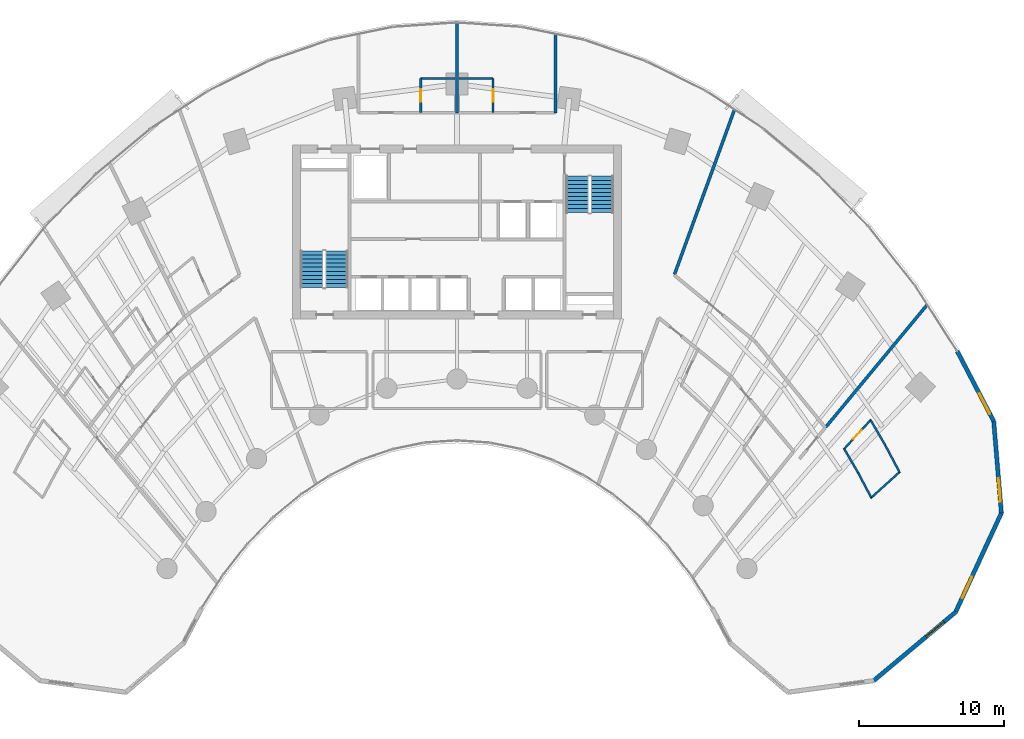
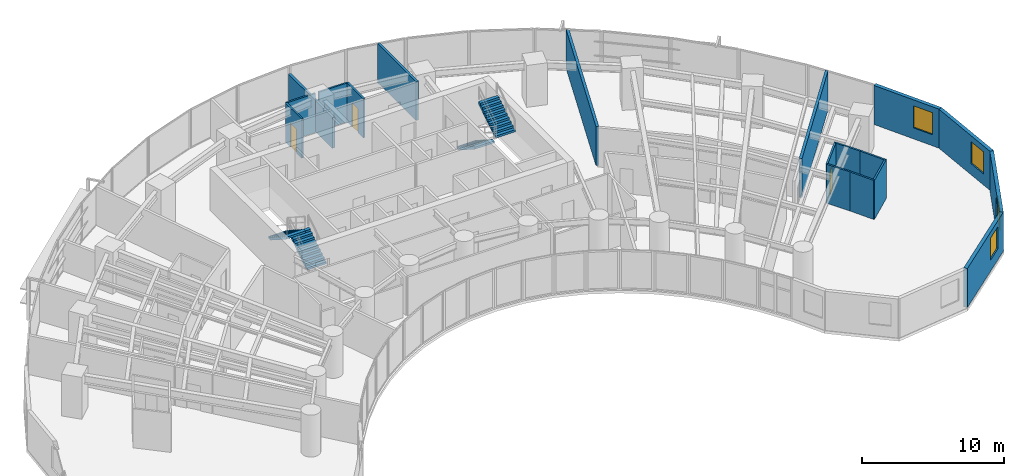
# One storey, part 14 of 17: 18 walls, 4 stair flights, 4 windows, 3 doors, 7 openings, 2 elements without a shape of their own.
"""IFC4 building model written with IfcOpenShell, lengths in metres."""

import ifcopenshell
import ifcopenshell.guid

model = None  # the IFC model being written
_history = None  # IfcOwnerHistory: only IFC2X3 demands one
_inside = {}  # id of a spatial element -> (the spatial element, [elements in it])
_under = {}  # id of a project, library or spatial element -> (it, [spatial elements below it])
_declared = {}  # id of a project -> (the project, [libraries it declares])
_typed = {}  # id of a type object -> (the type object, [elements of that type])
_made_of = {}  # id of a material, layer set ... -> (it, [elements and type objects made of it])


def new_model(schema):
    """Start an empty IFC model of exactly this schema.

    Asked for "IFC4X3", IfcOpenShell would pick the latest addendum, in which some entities
    have other attributes; the version numbers below select the first issue.
    IFC2X3 requires an IfcOwnerHistory on every rooted entity: one is made here for all.
    """
    global model, _history
    if schema == "IFC4X3":
        model = ifcopenshell.file(schema_version=(4, 3, 0, 0))
    else:
        model = ifcopenshell.file(schema=schema)
    _inside.clear()
    _under.clear()
    _declared.clear()
    _typed.clear()
    _made_of.clear()
    _history = None
    if model.schema == "IFC2X3":
        org = make("IfcOrganization", Name="unknown")
        user = make(
            "IfcPersonAndOrganization",
            ThePerson=make("IfcPerson", FamilyName="unknown"),
            TheOrganization=org,
        )
        app = make(
            "IfcApplication",
            ApplicationDeveloper=org,
            Version="unknown",
            ApplicationFullName="unknown",
            ApplicationIdentifier="unknown",
        )
        _history = make(
            "IfcOwnerHistory",
            OwningUser=user,
            OwningApplication=app,
            ChangeAction="ADDED",
            CreationDate=0,
        )
    return model


def make(cls, **values):
    """One entity of the class cls with the attributes given. An attribute that is None is left unset."""
    return model.create_entity(
        cls, **{name: value for name, value in values.items() if value is not None}
    )


def rooted(cls, **values):
    """An entity with a GlobalId (a new one), such as an element, a storey or a relation."""
    return make(cls, GlobalId=ifcopenshell.guid.new(), OwnerHistory=_history, **values)


def si_unit(unit_type, name, prefix=None):
    """IfcSIUnit, for example si_unit("LENGTHUNIT", "METRE", prefix="MILLI")."""
    return make("IfcSIUnit", UnitType=unit_type, Prefix=prefix, Name=name)


def assignment(units):
    """IfcUnitAssignment: the units of a project."""
    return None if units is None else make("IfcUnitAssignment", Units=units)


def point(xyz):
    """IfcCartesianPoint."""
    return None if xyz is None else make("IfcCartesianPoint", Coordinates=xyz)


def direction(xyz):
    """IfcDirection."""
    return None if xyz is None else make("IfcDirection", DirectionRatios=xyz)


def frame(location, z_axis=None, x_axis=None):
    """IfcAxis2Placement3D, a coordinate frame: its origin and axes. An axis left out is left unset."""
    return make(
        "IfcAxis2Placement3D",
        Location=point(location),
        Axis=direction(z_axis),
        RefDirection=direction(x_axis),
    )


def frame_2d(location, x_axis=None):
    """IfcAxis2Placement2D, a coordinate frame in the plane: its origin and x axis."""
    return make(
        "IfcAxis2Placement2D", Location=point(location), RefDirection=direction(x_axis)
    )


def origin():
    """The frame at (0, 0, 0) with its axes left unset."""
    return frame((0.0, 0.0, 0.0))


def place(relative_to, where):
    """IfcLocalPlacement: puts the frame where relative to a parent placement (None: the world)."""
    return make(
        "IfcLocalPlacement", PlacementRelTo=relative_to, RelativePlacement=where
    )


def context(
    kind, dimensions, precision=None, world=None, true_north=None, identifier=None
):
    """IfcGeometricRepresentationContext, for example the 3D "Model" context."""
    return make(
        "IfcGeometricRepresentationContext",
        ContextIdentifier=identifier,
        ContextType=kind,
        CoordinateSpaceDimension=dimensions,
        Precision=precision,
        WorldCoordinateSystem=world,
        TrueNorth=true_north,
    )


def subcontext(parent, identifier, kind, view, scale=None):
    """IfcGeometricRepresentationSubContext, for example "Body" below "Model"."""
    return make(
        "IfcGeometricRepresentationSubContext",
        ContextIdentifier=identifier,
        ContextType=kind,
        ParentContext=parent,
        TargetScale=scale,
        TargetView=view,
    )


def project(units=None, contexts=None):
    """IfcProject with its units and contexts."""
    return rooted(
        "IfcProject",
        Name="project",
        RepresentationContexts=contexts,
        UnitsInContext=assignment(units),
    )


def spatial(cls, under=None, at=None, **own):
    """A site, building, storey or space (cls), placed at a placement, below another one or the project."""
    s = rooted(cls, ObjectPlacement=at, **own)
    if under is not None:
        _under.setdefault(under.id(), (under, []))[1].append(s)
    return s


def polyline(points):
    """IfcPolyline through the points."""
    return make("IfcPolyline", Points=[point(p) for p in points])


def profile(cls, at=None, kind="AREA", **sizes):
    """A parametric profile (cls). Its sizes go by their IFC names, for example OverallWidth=200.0."""
    return make(cls, ProfileType=kind, Position=at, **sizes)


def rectangle(**sizes):
    """IfcRectangleProfileDef."""
    return profile("IfcRectangleProfileDef", **sizes)


def outline(outer, holes=None, kind="AREA"):
    """IfcArbitraryClosedProfileDef: a profile drawn as a closed curve; with holes, ...WithVoids."""
    if holes is None:
        return make("IfcArbitraryClosedProfileDef", ProfileType=kind, OuterCurve=outer)
    return make(
        "IfcArbitraryProfileDefWithVoids",
        ProfileType=kind,
        OuterCurve=outer,
        InnerCurves=holes,
    )


def extrude(swept, where, along, depth):
    """IfcExtrudedAreaSolid: the profile swept, set in the frame where, extruded along a direction by depth."""
    return make(
        "IfcExtrudedAreaSolid",
        SweptArea=swept,
        Position=where,
        ExtrudedDirection=direction(along),
        Depth=depth,
    )


def shape(context_of_items, identifier, shape_type, items):
    """IfcShapeRepresentation: the items that make up one representation, for example the "Body"."""
    return make(
        "IfcShapeRepresentation",
        ContextOfItems=context_of_items,
        RepresentationIdentifier=identifier,
        RepresentationType=shape_type,
        Items=items,
    )


def source(mapping_origin, context_of_items, identifier, shape_type, items):
    """IfcRepresentationMap: a shape defined once, which mapped items show again and again."""
    return make(
        "IfcRepresentationMap",
        MappingOrigin=mapping_origin,
        MappedRepresentation=shape(context_of_items, identifier, shape_type, items),
    )


def transform(
    local_origin,
    x_axis=None,
    y_axis=None,
    z_axis=None,
    scale=None,
    scale2=None,
    scale3=None,
    uniform=True,
):
    """IfcCartesianTransformationOperator3D, or its non-uniform kind. x_axis, y_axis, z_axis: its Axis1, 2, 3."""
    if uniform:
        return make(
            "IfcCartesianTransformationOperator3D",
            Axis1=direction(x_axis),
            Axis2=direction(y_axis),
            LocalOrigin=point(local_origin),
            Scale=scale,
            Axis3=direction(z_axis),
        )
    return make(
        "IfcCartesianTransformationOperator3DnonUniform",
        Axis1=direction(x_axis),
        Axis2=direction(y_axis),
        LocalOrigin=point(local_origin),
        Scale=scale,
        Axis3=direction(z_axis),
        Scale2=scale2,
        Scale3=scale3,
    )


def mapped(mapping_source, mapping_target):
    """IfcMappedItem: shows the shape of a source again, moved by a transform."""
    return make(
        "IfcMappedItem", MappingSource=mapping_source, MappingTarget=mapping_target
    )


def material(Name=None, Category=None):
    """IfcMaterial."""
    return make("IfcMaterial", Name=Name, Category=Category)


def layer(
    of_material, thickness, ventilated=None, Name=None, Category=None, Priority=None
):
    """IfcMaterialLayer: one layer of a wall or slab, of a material (None: an air gap)."""
    return make(
        "IfcMaterialLayer",
        Material=of_material,
        LayerThickness=thickness,
        IsVentilated=ventilated,
        Name=Name,
        Category=Category,
        Priority=Priority,
    )


def layer_set(layers, Name=None):
    """IfcMaterialLayerSet."""
    return make("IfcMaterialLayerSet", MaterialLayers=layers, LayerSetName=Name)


def made_of(thing, what):
    """Note that an element or type object is made of a material, layer set ...; save() writes the relation."""
    if what is not None:
        _made_of.setdefault(what.id(), (what, []))[1].append(thing)
    return thing


def type_object(cls, material=None, **own):
    """A type object (cls), such as IfcWallType, which elements share."""
    return made_of(rooted(cls, **own), material)


def type_shapes(of_type, sources):
    """Give a type object the sources (RepresentationMaps) that its elements show as mapped items."""
    of_type.RepresentationMaps = sources


def element(
    cls,
    number,
    at=None,
    inside=None,
    cuts=None,
    type_object=None,
    material=None,
    context=None,
    identifier="Body",
    shape_type=None,
    held_by="IfcProductDefinitionShape",
    body=None,
    shapes=None,
    **own,
):
    """One element of the class cls, such as IfcWall. Its Tag is "e" and its number.

    at: its placement. inside: the storey or other place that contains it. cuts: it is an
    opening in that element (IfcRelVoidsElement). A single representation is given by context,
    identifier, shape_type and body (its items); several are given by shapes. held_by: the class
    of the entity that holds the representations. save() writes the other relations.
    """
    e = rooted(cls, Tag="e%d" % number, ObjectPlacement=at, **own)
    if body is not None:
        shapes = [shape(context, identifier, shape_type, body)]
    if shapes is not None:
        e.Representation = make(held_by, Representations=shapes)
    if inside is not None:
        _inside.setdefault(inside.id(), (inside, []))[1].append(e)
    if cuts is not None:
        rooted(
            "IfcRelVoidsElement", RelatingBuildingElement=cuts, RelatedOpeningElement=e
        )
    if type_object is not None:
        _typed.setdefault(type_object.id(), (type_object, []))[1].append(e)
    return made_of(e, material)


def fill(opening, filler):
    """IfcRelFillsElement: the door or window that sits in an opening."""
    return rooted(
        "IfcRelFillsElement",
        RelatingOpeningElement=opening,
        RelatedBuildingElement=filler,
    )


def aggregate(whole, parts):
    """IfcRelAggregates: a whole, such as a stair, and the parts it consists of."""
    return rooted("IfcRelAggregates", RelatingObject=whole, RelatedObjects=parts)


def save(model, path):
    """Write the relations noted so far, then the file.

    IfcRelAggregates (storeys below a building ...), IfcRelContainedInSpatialStructure (elements
    in a storey), IfcRelDefinesByType, IfcRelAssociatesMaterial and IfcRelDeclares: one each for
    every whole, place, type object, material and project.
    """
    for whole, parts in _under.values():
        aggregate(whole, parts)
    for where, things in _inside.values():
        rooted(
            "IfcRelContainedInSpatialStructure",
            RelatedElements=things,
            RelatingStructure=where,
        )
    for kind, things in _typed.values():
        rooted("IfcRelDefinesByType", RelatedObjects=things, RelatingType=kind)
    for what, things in _made_of.values():
        rooted("IfcRelAssociatesMaterial", RelatedObjects=things, RelatingMaterial=what)
    for by, libraries in _declared.values():
        rooted("IfcRelDeclares", RelatingContext=by, RelatedDefinitions=libraries)
    model.write(path)


model = new_model("IFC4")

# Units and contexts
model_context = context("Model", 3, precision=1e-05, world=origin(), true_north=direction((0.0, 1.0)))
body_context = subcontext(model_context, "Body", "Model", "MODEL_VIEW")
ifc_project = project(units=[si_unit("LENGTHUNIT", "METRE"), si_unit("AREAUNIT", "SQUARE_METRE"), si_unit("VOLUMEUNIT", "CUBIC_METRE"), si_unit("PLANEANGLEUNIT", "RADIAN"), si_unit("MASSUNIT", "GRAM", prefix="KILO")], contexts=[model_context])

# Site, building, storey
site_placement = place(None, origin())
site = spatial("IfcSite", under=ifc_project, at=site_placement, CompositionType="ELEMENT")
building_placement = place(site_placement, origin())
building = spatial("IfcBuilding", under=site, at=building_placement, Name="Breltana Convention Tower", CompositionType="ELEMENT")
storey_placement = place(building_placement, frame((0.0, 0.0, 67.800048828125)))
storey = spatial("IfcBuildingStorey", under=building, at=storey_placement, Name="L15", CompositionType="ELEMENT", Elevation=67.800048828125)

# Wall, opening, window
ifc_material_1 = material(Name="Limestone Buff Insulated Wall", Category="masonry")
ifc_layer_1 = layer(ifc_material_1, 0.280029296875, Name="Limestone Buff Insulated Wall")
ifc_layer_set_1 = layer_set([ifc_layer_1], Name="Limestone Buff Insulated Wall")
wall_type_1 = type_object("IfcWallType", Name="WL-EXT-NOSE-280", PredefinedType="SOLIDWALL", material=ifc_layer_set_1)
shared_shape_1 = source(origin(), body_context, "Body", "SweptSolid", [
    extrude(rectangle(XDim=6.3525390625, YDim=0.280029296875, at=frame_2d((3.17626953125, 0.0))), origin(), (0.0, 0.0, 1.0), 3.35986328125),
])
wall_1_placement = place(storey_placement, frame((85.052978515625, 53.1220703125, 0.0), z_axis=(0.0, 0.0, 1.0), x_axis=(0.083319001377, -0.996522926986, 0.0)))
wall_1 = element("IfcWall", 1, at=wall_1_placement, inside=storey, type_object=wall_type_1, Name="L15 curved limestone nose wall E1", PredefinedType="SOLIDWALL", context=body_context, shape_type="MappedRepresentation", body=[
    mapped(shared_shape_1, transform((0.0, 0.0, 0.0), scale=1.0)),
])
opening_1_placement = place(wall_1_placement, frame((3.96435546875, 0.0, 0.949951171875)))
opening_1 = element("IfcOpeningElement", 2, at=opening_1_placement, cuts=wall_1, Name="Opening W-04", PredefinedType="OPENING", context=body_context, shape_type="SweptSolid", body=[
    extrude(rectangle(XDim=1.60009765625, YDim=1.89990234375, at=frame_2d((0.800048828125, 0.949951171875))), frame((0.0, 0.14990234375, 0.0), z_axis=(0.0, -1.0, 0.0), x_axis=(1.0, 0.0, 0.0)), (0.0, 0.0, 1.0), 0.300048828125),
])
ifc_material_2 = material(Name="Glass Low-E Insulated Window", Category="glass")
window_type = type_object("IfcWindowType", Name="WN-NOSE-1600X1900", PartitioningType="SINGLE_PANEL", PredefinedType="WINDOW", material=ifc_material_2)
shared_shape_2 = source(origin(), body_context, "Body", "SweptSolid", [
    extrude(rectangle(XDim=1.60009765625, YDim=1.89990234375, at=frame_2d((0.800048828125, 0.949951171875))), frame((0.0, 0.030029296875, 0.0), z_axis=(0.0, -1.0, 0.0), x_axis=(1.0, 0.0, 0.0)), (0.0, 0.0, 1.0), 0.06005859375),
])
type_shapes(window_type, [shared_shape_2])
window_1_placement = place(opening_1_placement, origin())
window_1 = element("IfcWindow", 3, at=window_1_placement, inside=storey, type_object=window_type, Name="L15 nose window E1", OverallHeight=1.89990234375, OverallWidth=1.60009765625, PartitioningType="SINGLE_PANEL", PredefinedType="WINDOW", context=body_context, shape_type="MappedRepresentation", body=[
    mapped(shared_shape_2, transform((0.0, 0.0, 0.0), scale=1.0)),
])
fill(opening_1, window_1)

shared_shape_3 = source(origin(), body_context, "Body", "SweptSolid", [
    extrude(rectangle(XDim=7.536376953125, YDim=0.280029296875, at=frame_2d((3.76806640625, 0.0))), origin(), (0.0, 0.0, 1.0), 3.35986328125),
])
wall_2_placement = place(storey_placement, frame((85.582275390625, 46.79150390625, 0.0), z_axis=(0.0, 0.0, 1.0), x_axis=(-0.41964973873, -0.907686122393, 0.0)))
wall_2 = element("IfcWall", 4, at=wall_2_placement, inside=storey, type_object=wall_type_1, Name="L15 curved limestone nose wall E2", PredefinedType="SOLIDWALL", context=body_context, shape_type="MappedRepresentation", body=[
    mapped(shared_shape_3, transform((0.0, 0.0, 0.0), scale=1.0)),
])
opening_2_placement = place(wall_2_placement, frame((4.852294921875, 0.0, 0.949951171875)))
opening_2 = element("IfcOpeningElement", 5, at=opening_2_placement, cuts=wall_2, Name="Opening W-04", PredefinedType="OPENING", context=body_context, shape_type="SweptSolid", body=[
    extrude(rectangle(XDim=1.60009765625, YDim=1.89990234375, at=frame_2d((0.800048828125, 0.949951171875))), frame((0.0, 0.14990234375, 0.0), z_axis=(0.0, -1.0, 0.0), x_axis=(1.0, 0.0, 0.0)), (0.0, 0.0, 1.0), 0.300048828125),
])
window_2_placement = place(opening_2_placement, origin())
window_2 = element("IfcWindow", 6, at=window_2_placement, inside=storey, type_object=window_type, Name="L15 nose window E2", OverallHeight=1.89990234375, OverallWidth=1.60009765625, PartitioningType="SINGLE_PANEL", PredefinedType="WINDOW", context=body_context, shape_type="MappedRepresentation", body=[
    mapped(shared_shape_2, transform((0.0, 0.0, 0.0), scale=1.0)),
])
fill(opening_2, window_2)

shared_shape_4 = source(origin(), body_context, "Body", "SweptSolid", [
    extrude(rectangle(XDim=7.35888671875, YDim=0.280029296875, at=frame_2d((3.679443359375, 0.0))), origin(), (0.0, 0.0, 1.0), 3.35986328125),
])
wall_3_placement = place(storey_placement, frame((82.419677734375, 39.950927734375, 0.0), z_axis=(0.0, 0.0, 1.0), x_axis=(-0.766737165543, -0.641961150675, 0.0)))
wall_3 = element("IfcWall", 7, at=wall_3_placement, inside=storey, type_object=wall_type_1, Name="L15 curved limestone nose wall E3", PredefinedType="SOLIDWALL", context=body_context, shape_type="MappedRepresentation", body=[
    mapped(shared_shape_4, transform((0.0, 0.0, 0.0), scale=1.0)),
])
opening_3_placement = place(wall_3_placement, frame((1.039794921875, 0.0, 0.949951171875)))
opening_3 = element("IfcOpeningElement", 8, at=opening_3_placement, cuts=wall_3, Name="Opening W-04", PredefinedType="OPENING", context=body_context, shape_type="SweptSolid", body=[
    extrude(rectangle(XDim=1.60009765625, YDim=1.89990234375, at=frame_2d((0.800048828125, 0.949951171875))), frame((0.0, 0.14990234375, 0.0), z_axis=(0.0, -1.0, 0.0), x_axis=(1.0, 0.0, 0.0)), (0.0, 0.0, 1.0), 0.300048828125),
])
window_3_placement = place(opening_3_placement, origin())
window_3 = element("IfcWindow", 9, at=window_3_placement, inside=storey, type_object=window_type, Name="L15 nose window E3", OverallHeight=1.89990234375, OverallWidth=1.60009765625, PartitioningType="SINGLE_PANEL", PredefinedType="WINDOW", context=body_context, shape_type="MappedRepresentation", body=[
    mapped(shared_shape_2, transform((0.0, 0.0, 0.0), scale=1.0)),
])
fill(opening_3, window_3)

shared_shape_5 = source(origin(), body_context, "Body", "SweptSolid", [
    extrude(rectangle(XDim=5.45947265625, YDim=0.280029296875, at=frame_2d((2.729736328125, 0.0))), origin(), (0.0, 0.0, 1.0), 3.35986328125),
])
wall_4_placement = place(storey_placement, frame((82.531982421875, 57.964599609375, 0.0), z_axis=(0.0, 0.0, 1.0), x_axis=(0.461768054321, -0.887000712518, 0.0)))
wall_4 = element("IfcWall", 10, at=wall_4_placement, inside=storey, type_object=wall_type_1, Name="L15 curved limestone nose wall E7", PredefinedType="SOLIDWALL", context=body_context, shape_type="MappedRepresentation", body=[
    mapped(shared_shape_5, transform((0.0, 0.0, 0.0), scale=1.0)),
])
opening_4_placement = place(wall_4_placement, frame((3.294677734375, 0.0, 0.949951171875)))
opening_4 = element("IfcOpeningElement", 11, at=opening_4_placement, cuts=wall_4, Name="Opening W-04", PredefinedType="OPENING", context=body_context, shape_type="SweptSolid", body=[
    extrude(rectangle(XDim=1.60009765625, YDim=1.89990234375, at=frame_2d((0.800048828125, 0.949951171875))), frame((0.0, 0.14990234375, 0.0), z_axis=(0.0, -1.0, 0.0), x_axis=(1.0, 0.0, 0.0)), (0.0, 0.0, 1.0), 0.300048828125),
])
window_4_placement = place(opening_4_placement, origin())
window_4 = element("IfcWindow", 12, at=window_4_placement, inside=storey, type_object=window_type, Name="L15 nose window E7", OverallHeight=1.89990234375, OverallWidth=1.60009765625, PartitioningType="SINGLE_PANEL", PredefinedType="WINDOW", context=body_context, shape_type="MappedRepresentation", body=[
    mapped(shared_shape_2, transform((0.0, 0.0, 0.0), scale=1.0)),
])
fill(opening_4, window_4)

# Walls
ifc_material_3 = material(Name="Gypsum Acoustic Hotel Wall")
ifc_layer_2 = layer(ifc_material_3, 0.195068359375, Name="Gypsum Acoustic Hotel Wall")
ifc_layer_set_2 = layer_set([ifc_layer_2], Name="Gypsum Acoustic Hotel Wall")
wall_type_2 = type_object("IfcWallType", Name="WL-HOTEL-200", PredefinedType="PARTITIONING", material=ifc_layer_set_2)
shared_shape_6 = source(origin(), body_context, "Body", "SweptSolid", [
    extrude(rectangle(XDim=6.215576171875, YDim=0.195068359375, at=frame_2d((3.10791015625, 0.0))), origin(), (0.0, 0.0, 1.0), 2.64404296875),
])
wall_5_placement = place(storey_placement, frame((48.0, 74.419921875, 0.0), z_axis=(0.0, 0.0, 1.0), x_axis=(0.0, 1.0, 0.0)))
element("IfcWall", 13, at=wall_5_placement, inside=storey, type_object=wall_type_2, Name="L15 interior partition W-L15-GRN-MID", PredefinedType="PARTITIONING", context=body_context, shape_type="MappedRepresentation", body=[
    mapped(shared_shape_6, transform((0.0, 0.0, 0.0), scale=1.0)),
])
shared_shape_7 = source(origin(), body_context, "Body", "SweptSolid", [
    extrude(rectangle(XDim=5.42626953125, YDim=0.195068359375, at=frame_2d((2.713134765625, 0.0))), origin(), (0.0, 0.0, 1.0), 3.35986328125),
])
wall_6_placement = place(storey_placement, frame((54.800048828125, 74.419921875, 0.0), z_axis=(0.0, 0.0, 1.0), x_axis=(0.0, 1.0, 0.0)))
element("IfcWall", 14, at=wall_6_placement, inside=storey, type_object=wall_type_2, Name="L15 interior partition W-L15-GRN2-SD", PredefinedType="PARTITIONING", context=body_context, shape_type="MappedRepresentation", body=[
    mapped(shared_shape_7, transform((0.0, 0.0, 0.0), scale=1.0)),
])
ifc_material_4 = material(Name="Moisture-Resistant En-Suite Partition")
ifc_layer_3 = layer(ifc_material_4, 0.139892578125, Name="Moisture-Resistant En-Suite Partition")
ifc_layer_set_3 = layer_set([ifc_layer_3], Name="Moisture-Resistant En-Suite Partition")
wall_type_3 = type_object("IfcWallType", Name="WL-WET-150", PredefinedType="PARTITIONING", material=ifc_layer_set_3)
shared_shape_8 = source(origin(), body_context, "Body", "SweptSolid", [
    extrude(rectangle(XDim=2.35009765625, YDim=0.139892578125, at=frame_2d((1.175048828125, 0.0))), origin(), (0.0, 0.0, 1.0), 3.35986328125),
])
for number, where, z_axis, x_axis, name in (
    (15, (45.5, 76.780029296875, 0.0), (0.0, 0.0, 1.0), (1.0, 0.0, 0.0), "L15 interior partition W-L15-ENSN1-N"),
    (16, (48.14990234375, 76.780029296875, 0.0), (0.0, 0.0, 1.0), (1.0, 0.0, 0.0), "L15 interior partition W-L15-ENSN2-N"),
):
    element("IfcWall", number, at=place(storey_placement, frame(where, z_axis=z_axis, x_axis=x_axis)), inside=storey, type_object=wall_type_3, Name=name, PredefinedType="PARTITIONING", context=body_context, shape_type="MappedRepresentation", body=[
        mapped(shared_shape_8, transform((0.0, 0.0, 0.0), scale=1.0)),
    ])

# Wall, opening, door
shared_shape_9 = source(origin(), body_context, "Body", "SweptSolid", [
    extrude(rectangle(XDim=2.330078125, YDim=0.139892578125, at=frame_2d((1.1650390625, 0.0))), origin(), (0.0, 0.0, 1.0), 3.35986328125),
])
wall_7_placement = place(storey_placement, frame((45.5, 74.449951171875, 0.0), z_axis=(0.0, 0.0, 1.0), x_axis=(0.0, 1.0, 0.0)))
wall_7 = element("IfcWall", 17, at=wall_7_placement, inside=storey, type_object=wall_type_3, Name="L15 interior partition W-L15-ENSN1-SD", PredefinedType="PARTITIONING", context=body_context, shape_type="MappedRepresentation", body=[
    mapped(shared_shape_9, transform((0.0, 0.0, 0.0), scale=1.0)),
])
opening_5_placement = place(wall_7_placement, frame((0.739990234375, 0.0, 0.0)))
opening_5 = element("IfcOpeningElement", 18, at=opening_5_placement, cuts=wall_7, Name="Opening D-21", PredefinedType="OPENING", context=body_context, shape_type="SweptSolid", body=[
    extrude(rectangle(XDim=0.85009765625, YDim=2.050048828125, at=frame_2d((0.425048828125, 1.02490234375))), frame((0.0, 0.080078125, 0.0), z_axis=(0.0, -1.0, 0.0), x_axis=(1.0, 0.0, 0.0)), (0.0, 0.0, 1.0), 0.159912109375),
])
ifc_material_5 = material(Name="Timber Moisture-Resistant En-Suite Door", Category="wood")
door_type = type_object("IfcDoorType", Name="DR-WET-850", OperationType="NOTDEFINED", PredefinedType="DOOR", material=ifc_material_5)
shared_shape_10 = source(origin(), body_context, "Body", "SweptSolid", [
    extrude(rectangle(XDim=0.85009765625, YDim=2.050048828125, at=frame_2d((0.425048828125, 1.02490234375))), frame((0.0, 0.02490234375, 0.0), z_axis=(0.0, -1.0, 0.0), x_axis=(1.0, 0.0, 0.0)), (0.0, 0.0, 1.0), 0.050048828125),
])
type_shapes(door_type, [shared_shape_10])
door_1_placement = place(opening_5_placement, origin())
door_1 = element("IfcDoor", 19, at=door_1_placement, inside=storey, type_object=door_type, Name="L15 interior door D-L15-ENSN1", OperationType="SINGLE_SWING_LEFT", OverallHeight=2.050048828125, OverallWidth=0.85009765625, PredefinedType="DOOR", context=body_context, shape_type="MappedRepresentation", body=[
    mapped(shared_shape_10, transform((0.0, 0.0, 0.0), scale=1.0)),
])
fill(opening_5, door_1)

wall_8_placement = place(storey_placement, frame((50.5, 74.449951171875, 0.0), z_axis=(0.0, 0.0, 1.0), x_axis=(0.0, 1.0, 0.0)))
wall_8 = element("IfcWall", 20, at=wall_8_placement, inside=storey, type_object=wall_type_3, Name="L15 interior partition W-L15-ENSN2-SD", PredefinedType="PARTITIONING", context=body_context, shape_type="MappedRepresentation", body=[
    mapped(shared_shape_9, transform((0.0, 0.0, 0.0), scale=1.0)),
])
opening_6_placement = place(wall_8_placement, frame((0.739990234375, 0.0, 0.0)))
opening_6 = element("IfcOpeningElement", 21, at=opening_6_placement, cuts=wall_8, Name="Opening D-21", PredefinedType="OPENING", context=body_context, shape_type="SweptSolid", body=[
    extrude(rectangle(XDim=0.85009765625, YDim=2.050048828125, at=frame_2d((0.425048828125, 1.02490234375))), frame((0.0, 0.080078125, 0.0), z_axis=(0.0, -1.0, 0.0), x_axis=(1.0, 0.0, 0.0)), (0.0, 0.0, 1.0), 0.159912109375),
])
door_2_placement = place(opening_6_placement, origin())
door_2 = element("IfcDoor", 22, at=door_2_placement, inside=storey, type_object=door_type, Name="L15 interior door D-L15-ENSN2", OperationType="SINGLE_SWING_LEFT", OverallHeight=2.050048828125, OverallWidth=0.85009765625, PredefinedType="DOOR", context=body_context, shape_type="MappedRepresentation", body=[
    mapped(shared_shape_10, transform((0.0, 0.0, 0.0), scale=1.0)),
])
fill(opening_6, door_2)

shared_shape_11 = source(origin(), body_context, "Body", "SweptSolid", [
    extrude(rectangle(XDim=2.812255859375, YDim=0.139892578125, at=frame_2d((1.40625, 0.0))), origin(), (0.0, 0.0, 1.0), 3.35986328125),
])
wall_9_placement = place(storey_placement, frame((74.69677734375, 51.176513671875, 0.0), z_axis=(0.0, 0.0, 1.0), x_axis=(0.675119025852, 0.737708818527, 0.0)))
wall_9 = element("IfcWall", 23, at=wall_9_placement, inside=storey, type_object=wall_type_3, Name="L15 interior partition W-L15-CSENS-E-W", PredefinedType="PARTITIONING", context=body_context, shape_type="MappedRepresentation", body=[
    mapped(shared_shape_11, transform((0.0, 0.0, 0.0), scale=1.0)),
])
opening_7_placement = place(wall_9_placement, frame((0.981201171875, 0.0, 0.0)))
opening_7 = element("IfcOpeningElement", 24, at=opening_7_placement, cuts=wall_9, Name="Opening D-21", PredefinedType="OPENING", context=body_context, shape_type="SweptSolid", body=[
    extrude(rectangle(XDim=0.85009765625, YDim=2.050048828125, at=frame_2d((0.425048828125, 1.02490234375))), frame((0.0, 0.080078125, 0.0), z_axis=(0.0, -1.0, 0.0), x_axis=(1.0, 0.0, 0.0)), (0.0, 0.0, 1.0), 0.159912109375),
])
door_3_placement = place(opening_7_placement, origin())
door_3 = element("IfcDoor", 25, at=door_3_placement, inside=storey, type_object=door_type, Name="L15 interior door D-L15-CSENS-E", OperationType="SINGLE_SWING_LEFT", OverallHeight=2.050048828125, OverallWidth=0.85009765625, PredefinedType="DOOR", context=body_context, shape_type="MappedRepresentation", body=[
    mapped(shared_shape_10, transform((0.0, 0.0, 0.0), scale=1.0)),
])
fill(opening_7, door_3)

# Walls
shared_shape_12 = source(origin(), body_context, "Body", "SweptSolid", [
    extrude(rectangle(XDim=2.738037109375, YDim=0.139892578125, at=frame_2d((1.369140625, 0.0))), origin(), (0.0, 0.0, 1.0), 3.35986328125),
])
wall_10_placement = place(storey_placement, frame((76.560302734375, 47.81396484375, 0.0), z_axis=(0.0, 0.0, 1.0), x_axis=(0.741873676582, 0.670539669218, 0.0)))
element("IfcWall", 26, at=wall_10_placement, inside=storey, type_object=wall_type_3, Name="L15 interior partition W-L15-CSENS-E-F", PredefinedType="PARTITIONING", context=body_context, shape_type="MappedRepresentation", body=[
    mapped(shared_shape_12, transform((0.0, 0.0, 0.0), scale=1.0)),
])
shared_shape_13 = source(origin(), body_context, "Body", "SweptSolid", [
    extrude(rectangle(XDim=1.936279296875, YDim=0.139892578125, at=frame_2d((0.96826171875, 0.0))), origin(), (0.0, 0.0, 1.0), 3.35986328125),
])
wall_11_placement = place(storey_placement, frame((75.697265625, 49.5634765625, 0.0), z_axis=(0.0, 0.0, 1.0), x_axis=(0.467174971862, -0.884164886017, 0.0)))
element("IfcWall", 27, at=wall_11_placement, inside=storey, type_object=wall_type_3, Name="L15 interior partition W-L15-CSENS-E-B1B", PredefinedType="PARTITIONING", context=body_context, shape_type="MappedRepresentation", body=[
    mapped(shared_shape_13, transform((0.0, 0.0, 0.0), scale=1.0)),
])
shared_shape_14 = source(origin(), body_context, "Body", "SweptSolid", [
    extrude(rectangle(XDim=2.068115234375, YDim=0.139892578125, at=frame_2d((1.0341796875, 0.0))), origin(), (0.0, 0.0, 1.0), 3.35986328125),
])
wall_12_placement = place(storey_placement, frame((77.583740234375, 51.44091796875, 0.0), z_axis=(0.0, 0.0, 1.0), x_axis=(0.467215057643, -0.884143704333, 0.0)))
element("IfcWall", 28, at=wall_12_placement, inside=storey, type_object=wall_type_3, Name="L15 interior partition W-L15-CSENS-E-B2B", PredefinedType="PARTITIONING", context=body_context, shape_type="MappedRepresentation", body=[
    mapped(shared_shape_14, transform((0.0, 0.0, 0.0), scale=1.0)),
])
shared_shape_15 = source(origin(), body_context, "Body", "SweptSolid", [
    extrude(rectangle(XDim=1.914306640625, YDim=0.139892578125, at=frame_2d((0.95703125, 0.0))), origin(), (0.0, 0.0, 1.0), 3.35986328125),
])
wall_13_placement = place(storey_placement, frame((74.735595703125, 51.21875, 0.0), z_axis=(0.0, 0.0, 1.0), x_axis=(0.502347790612, -0.864665656347, 0.0)))
element("IfcWall", 29, at=wall_13_placement, inside=storey, type_object=wall_type_3, Name="L15 interior partition W-L15-CSENS-E-B1A", PredefinedType="PARTITIONING", context=body_context, shape_type="MappedRepresentation", body=[
    mapped(shared_shape_15, transform((0.0, 0.0, 0.0), scale=1.0)),
])
shared_shape_16 = source(origin(), body_context, "Body", "SweptSolid", [
    extrude(rectangle(XDim=2.044677734375, YDim=0.139892578125, at=frame_2d((1.0224609375, 0.0))), origin(), (0.0, 0.0, 1.0), 3.35986328125),
])
wall_14_placement = place(storey_placement, frame((76.556640625, 53.208984375, 0.0), z_axis=(0.0, 0.0, 1.0), x_axis=(0.5023112139, -0.864686905411, 0.0)))
element("IfcWall", 30, at=wall_14_placement, inside=storey, type_object=wall_type_3, Name="L15 interior partition W-L15-CSENS-E-B2A", PredefinedType="PARTITIONING", context=body_context, shape_type="MappedRepresentation", body=[
    mapped(shared_shape_16, transform((0.0, 0.0, 0.0), scale=1.0)),
])
ifc_material_6 = material(Name="Autoclaved Aerated Masonry Blockwork", Category="masonry")
ifc_layer_4 = layer(ifc_material_6, 0.2099609375, Name="Autoclaved Aerated Masonry Blockwork")
ifc_layer_set_4 = layer_set([ifc_layer_4], Name="Autoclaved Aerated Masonry Blockwork")
wall_type_4 = type_object("IfcWallType", Name="WL-PART-200", PredefinedType="PARTITIONING", material=ifc_layer_set_4)
shared_shape_17 = source(origin(), body_context, "Body", "SweptSolid", [
    extrude(rectangle(XDim=12.088134765625, YDim=0.2099609375, at=frame_2d((6.0439453125, 0.0))), origin(), (0.0, 0.0, 1.0), 3.35986328125),
])
wall_15_placement = place(storey_placement, frame((63.0185546875, 63.26220703125, 0.0), z_axis=(0.0, 0.0, 1.0), x_axis=(0.34203007529, 0.939689005787, 0.0)))
element("IfcWall", 31, at=wall_15_placement, inside=storey, type_object=wall_type_4, Name="L15 interior partition W-L15-H3OE-RA", PredefinedType="PARTITIONING", context=body_context, shape_type="MappedRepresentation", body=[
    mapped(shared_shape_17, transform((0.0, 0.0, 0.0), scale=1.0)),
])
shared_shape_18 = source(origin(), body_context, "Body", "SweptSolid", [
    extrude(rectangle(XDim=10.974609375, YDim=0.2099609375, at=frame_2d((5.4873046875, 0.0))), origin(), (0.0, 0.0, 1.0), 3.35986328125),
])
wall_16_placement = place(storey_placement, frame((73.460205078125, 52.71875, 0.0), z_axis=(0.0, 0.0, 1.0), x_axis=(0.638125265812, 0.769932558821, 0.0)))
element("IfcWall", 32, at=wall_16_placement, inside=storey, type_object=wall_type_4, Name="L15 interior partition W-L15-H3OE-RB", PredefinedType="PARTITIONING", context=body_context, shape_type="MappedRepresentation", body=[
    mapped(shared_shape_18, transform((0.0, 0.0, 0.0), scale=1.0)),
])

# Stair, stair flights
ifc_material_7 = material(Name="Concrete C40/50", Category="concrete")
stair_type = type_object("IfcStairType", Name="ST-DOG-1560-R180", PredefinedType="HALF_TURN_STAIR", material=ifc_material_7)
stair_1_placement = place(storey_placement, origin())
stair_1 = element("IfcStair", 33, at=stair_1_placement, inside=storey, type_object=stair_type, Name="L15 Protected Core Exit Stair ST-1", PredefinedType="HALF_TURN_STAIR")
stair_flight_type = type_object("IfcStairFlightType", Name="STF-DOG-1560-N10-R180", PredefinedType="STRAIGHT", material=ifc_material_7)
stair_flight_1_placement = place(storey_placement, frame((39.68994140625, 62.360107421875, 0.0), z_axis=(0.0, 0.0, 1.0), x_axis=(0.0, 1.0, 0.0)))
stair_flight_1 = element("IfcStairFlight", 34, at=stair_flight_1_placement, type_object=stair_flight_type, Name="ST-1 flight 1", NumberOfRisers=10, NumberOfTreads=9, PredefinedType="STRAIGHT", RiserHeight=0.18, TreadLength=0.28, context=body_context, shape_type="SweptSolid", body=[
    extrude(outline(polyline([(0.0, 0.0), (0.0, 0.179931640625), (0.280029296875, 0.179931640625), (0.280029296875, 0.360107421875), (0.56005859375, 0.360107421875), (0.56005859375, 0.5400390625), (0.840087890625, 0.5400390625), (0.840087890625, 0.719970703125), (1.1201171875, 0.719970703125), (1.1201171875, 0.89990234375), (1.39990234375, 0.89990234375), (1.39990234375, 1.080078125), (1.679931640625, 1.080078125), (1.679931640625, 1.260009765625), (1.9599609375, 1.260009765625), (1.9599609375, 1.43994140625), (2.239990234375, 1.43994140625), (2.239990234375, 1.6201171875), (2.52001953125, 1.6201171875), (2.52001953125, 1.800048828125), (2.52001953125, 1.44189453125), (0.277099609375, 0.0), (0.0, 0.0)])), frame((0.0, 0.780029296875, 0.0), z_axis=(0.0, -1.0, 0.0), x_axis=(1.0, 0.0, 0.0)), (0.0, 0.0, 1.0), 1.56005859375),
])
stair_flight_2_placement = place(storey_placement, frame((37.97998046875, 64.8798828125, 1.800048828125), z_axis=(0.0, 0.0, 1.0), x_axis=(0.0, -1.0, 0.0)))
stair_flight_2 = element("IfcStairFlight", 35, at=stair_flight_2_placement, type_object=stair_flight_type, Name="ST-1 flight 2", NumberOfRisers=10, NumberOfTreads=9, PredefinedType="STRAIGHT", RiserHeight=0.18, TreadLength=0.28, context=body_context, shape_type="SweptSolid", body=[
    extrude(outline(polyline([(0.0, 0.0), (0.0, 0.179931640625), (0.280029296875, 0.179931640625), (0.280029296875, 0.360107421875), (0.56005859375, 0.360107421875), (0.56005859375, 0.5400390625), (0.840087890625, 0.5400390625), (0.840087890625, 0.719970703125), (1.1201171875, 0.719970703125), (1.1201171875, 0.89990234375), (1.39990234375, 0.89990234375), (1.39990234375, 1.080078125), (1.679931640625, 1.080078125), (1.679931640625, 1.260009765625), (1.9599609375, 1.260009765625), (1.9599609375, 1.43994140625), (2.239990234375, 1.43994140625), (2.239990234375, 1.6201171875), (2.52001953125, 1.6201171875), (2.52001953125, 1.800048828125), (2.52001953125, 1.44189453125), (0.277099609375, 0.0), (0.0, 0.0)])), frame((0.0, 0.780029296875, 0.0), z_axis=(0.0, -1.0, 0.0), x_axis=(1.0, 0.0, 0.0)), (0.0, 0.0, 1.0), 1.56005859375),
])
aggregate(stair_1, [stair_flight_1, stair_flight_2])

stair_2_placement = place(storey_placement, origin())
stair_2 = element("IfcStair", 36, at=stair_2_placement, inside=storey, type_object=stair_type, Name="L15 Protected Core Exit Stair ST-2", PredefinedType="HALF_TURN_STAIR")
stair_flight_3_placement = place(storey_placement, frame((56.31005859375, 70.0400390625, 0.0), z_axis=(0.0, 0.0, 1.0), x_axis=(0.0, -1.0, 0.0)))
stair_flight_3 = element("IfcStairFlight", 37, at=stair_flight_3_placement, type_object=stair_flight_type, Name="ST-2 flight 1", NumberOfRisers=10, NumberOfTreads=9, PredefinedType="STRAIGHT", RiserHeight=0.18, TreadLength=0.28, context=body_context, shape_type="SweptSolid", body=[
    extrude(outline(polyline([(0.0, 0.0), (0.0, 0.179931640625), (0.280029296875, 0.179931640625), (0.280029296875, 0.360107421875), (0.56005859375, 0.360107421875), (0.56005859375, 0.5400390625), (0.840087890625, 0.5400390625), (0.840087890625, 0.719970703125), (1.1201171875, 0.719970703125), (1.1201171875, 0.89990234375), (1.39990234375, 0.89990234375), (1.39990234375, 1.080078125), (1.679931640625, 1.080078125), (1.679931640625, 1.260009765625), (1.9599609375, 1.260009765625), (1.9599609375, 1.43994140625), (2.239990234375, 1.43994140625), (2.239990234375, 1.6201171875), (2.52001953125, 1.6201171875), (2.52001953125, 1.800048828125), (2.52001953125, 1.44189453125), (0.277099609375, 0.0), (0.0, 0.0)])), frame((0.0, 0.780029296875, 0.0), z_axis=(0.0, -1.0, 0.0), x_axis=(1.0, 0.0, 0.0)), (0.0, 0.0, 1.0), 1.56005859375),
])
stair_flight_4_placement = place(storey_placement, frame((58.02001953125, 67.52001953125, 1.800048828125), z_axis=(0.0, 0.0, 1.0), x_axis=(0.0, 1.0, 0.0)))
stair_flight_4 = element("IfcStairFlight", 38, at=stair_flight_4_placement, type_object=stair_flight_type, Name="ST-2 flight 2", NumberOfRisers=10, NumberOfTreads=9, PredefinedType="STRAIGHT", RiserHeight=0.18, TreadLength=0.28, context=body_context, shape_type="SweptSolid", body=[
    extrude(outline(polyline([(0.0, 0.0), (0.0, 0.179931640625), (0.280029296875, 0.179931640625), (0.280029296875, 0.360107421875), (0.56005859375, 0.360107421875), (0.56005859375, 0.5400390625), (0.840087890625, 0.5400390625), (0.840087890625, 0.719970703125), (1.1201171875, 0.719970703125), (1.1201171875, 0.89990234375), (1.39990234375, 0.89990234375), (1.39990234375, 1.080078125), (1.679931640625, 1.080078125), (1.679931640625, 1.260009765625), (1.9599609375, 1.260009765625), (1.9599609375, 1.43994140625), (2.239990234375, 1.43994140625), (2.239990234375, 1.6201171875), (2.52001953125, 1.6201171875), (2.52001953125, 1.800048828125), (2.52001953125, 1.44189453125), (0.277099609375, 0.0), (0.0, 0.0)])), frame((0.0, 0.780029296875, 0.0), z_axis=(0.0, -1.0, 0.0), x_axis=(1.0, 0.0, 0.0)), (0.0, 0.0, 1.0), 1.56005859375),
])
aggregate(stair_2, [stair_flight_3, stair_flight_4])

save(model, "model.ifc")
